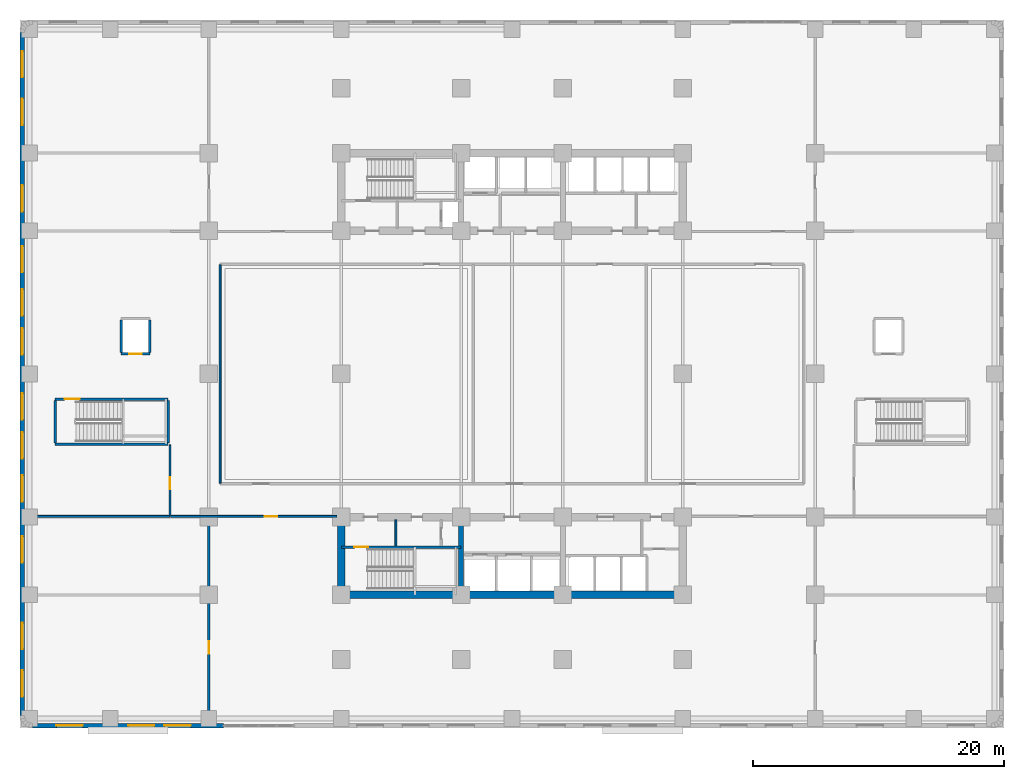
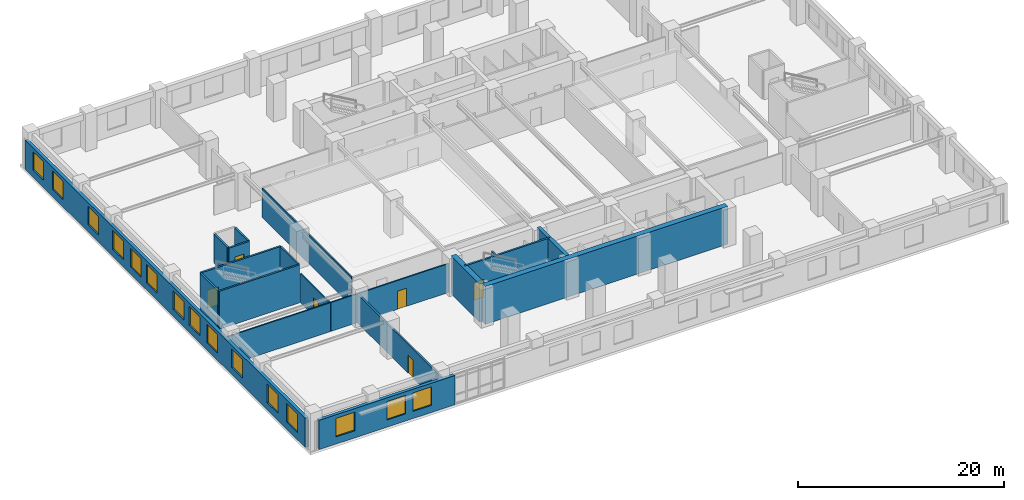
# One storey, part 6 of 15: 19 walls, 15 windows, 6 doors, 21 openings.
"""IFC4 building model written with IfcOpenShell, lengths in metres."""

from ifc_helpers import new_model, si_unit, direction, frame, frame_2d, origin, place, context, subcontext, project, spatial, rectangle, extrude, material, layer, layer_set, type_object, element, fill, save


model = new_model("IFC4")

# Units and contexts
model_context = context("Model", 3, precision=1e-05, world=origin(), true_north=direction((0.0, 1.0)))
body_context = subcontext(model_context, "Body", "Model", "MODEL_VIEW")
ifc_project = project(units=[si_unit("LENGTHUNIT", "METRE"), si_unit("AREAUNIT", "SQUARE_METRE"), si_unit("VOLUMEUNIT", "CUBIC_METRE"), si_unit("PLANEANGLEUNIT", "RADIAN"), si_unit("MASSUNIT", "GRAM", prefix="KILO")], contexts=[model_context])

# Site, building, storey
site_placement = place(None, origin())
site = spatial("IfcSite", under=ifc_project, at=site_placement, CompositionType="ELEMENT")
building_placement = place(site_placement, origin())
building = spatial("IfcBuilding", under=site, at=building_placement, Name="Svetorya Sky Lyceum", CompositionType="ELEMENT")
storey_placement = place(building_placement, frame((0.0, 0.0, 6.60009765625)))
storey = spatial("IfcBuildingStorey", under=building, at=storey_placement, Name="L01", CompositionType="ELEMENT", Elevation=6.60009765625)

# Walls
ifc_material_1 = material(Name="Concrete C40/50", Category="concrete")
ifc_layer_1 = layer(ifc_material_1, 0.39990234375)
ifc_layer_set_1 = layer_set([ifc_layer_1], Name="Concrete C40/50")
wall_type_1 = type_object("IfcWallType", Name="WL-CORE-400", PredefinedType="SHEAR", material=ifc_layer_set_1)
wall_1_placement = place(storey_placement, frame((35.14990234375, 10.89990234375, 0.0), z_axis=(0.0, 0.0, 1.0), x_axis=(0.0, 1.0, 0.0)))
element("IfcWall", 1, at=wall_1_placement, inside=storey, type_object=wall_type_1, Name="L01 SC Internal Shear Web WEB1", PredefinedType="SHEAR", context=body_context, shape_type="SweptSolid", body=[
    extrude(rectangle(XDim=5.60009765625, YDim=0.39990234375, at=frame_2d((2.800048828125, 0.0))), origin(), (0.0, 0.0, 1.0), 4.5),
])
ifc_material_2 = material(Name="Concrete C60/75", Category="concrete")
ifc_layer_2 = layer(ifc_material_2, 0.60009765625)
ifc_layer_set_2 = layer_set([ifc_layer_2], Name="Concrete C60/75")
wall_type_2 = type_object("IfcWallType", Name="WL-CORE-600", PredefinedType="SHEAR", material=ifc_layer_set_2)
wall_2_placement = place(storey_placement, frame((52.800048828125, 10.60009765625, 0.0), z_axis=(0.0, 0.0, 1.0), x_axis=(-1.0, 0.0, 0.0)))
element("IfcWall", 2, at=wall_2_placement, inside=storey, type_object=wall_type_2, Name="L01 SC Outer Core Shear Wall", PredefinedType="SHEAR", context=body_context, shape_type="SweptSolid", body=[
    extrude(rectangle(XDim=27.199951171875, YDim=0.60009765625, at=frame_2d((13.60009765625, 0.0))), origin(), (0.0, 0.0, 1.0), 4.5),
])
wall_3_placement = place(storey_placement, frame((25.60009765625, 10.89990234375, 0.0), z_axis=(0.0, 0.0, 1.0), x_axis=(0.0, 1.0, 0.0)))
element("IfcWall", 3, at=wall_3_placement, inside=storey, type_object=wall_type_2, Name="L01 SC West Core Shear Wall", PredefinedType="SHEAR", context=body_context, shape_type="SweptSolid", body=[
    extrude(rectangle(XDim=5.60009765625, YDim=0.60009765625, at=frame_2d((2.800048828125, 0.0))), origin(), (0.0, 0.0, 1.0), 4.5),
])

# Wall, openings, windows
ifc_material_3 = material(Name="Putilovo limestone rainscreen on autoclaved cellular masonry", Category="masonry")
ifc_layer_3 = layer(ifc_material_3, 0.360107421875)
ifc_layer_set_3 = layer_set([ifc_layer_3], Name="Putilovo limestone rainscreen on autoclaved cellular masonry")
wall_type_3 = type_object("IfcWallType", Name="WL-EXT-360", PredefinedType="SOLIDWALL", material=ifc_layer_set_3)
wall_4_placement = place(storey_placement, frame((0.97998046875, 0.179931640625, 0.0), z_axis=(0.0, 0.0, 1.0), x_axis=(1.0, 0.0, 0.0)))
wall_4 = element("IfcWall", 4, at=wall_4_placement, inside=storey, type_object=wall_type_3, Name="L01 Limestone Exterior Wall 6A", PredefinedType="SOLIDWALL", context=body_context, shape_type="SweptSolid", body=[
    extrude(rectangle(XDim=15.25, YDim=0.360107421875, at=frame_2d((7.625, 0.0))), origin(), (0.0, 0.0, 1.0), 3.47998046875),
])
opening_1_placement = place(wall_4_placement, frame((1.925048828125, 0.0, 0.85009765625)))
opening_1 = element("IfcOpeningElement", 5, at=opening_1_placement, cuts=wall_4, Name="Opening W-S3", PredefinedType="OPENING", context=body_context, shape_type="SweptSolid", body=[
    extrude(rectangle(XDim=2.10009765625, YDim=2.199951171875, at=frame_2d((1.050048828125, 1.10009765625))), frame((0.0, 0.18994140625, 0.0), z_axis=(0.0, -1.0, 0.0), x_axis=(1.0, 0.0, 0.0)), (0.0, 0.0, 1.0), 0.380126953125),
])
opening_2_placement = place(wall_4_placement, frame((7.625, 0.0, 0.85009765625)))
opening_2 = element("IfcOpeningElement", 6, at=opening_2_placement, cuts=wall_4, Name="Opening W-S3", PredefinedType="OPENING", context=body_context, shape_type="SweptSolid", body=[
    extrude(rectangle(XDim=2.10009765625, YDim=2.199951171875, at=frame_2d((1.050048828125, 1.10009765625))), frame((0.0, 0.18994140625, 0.0), z_axis=(0.0, -1.0, 0.0), x_axis=(1.0, 0.0, 0.0)), (0.0, 0.0, 1.0), 0.380126953125),
])
opening_3_placement = place(wall_4_placement, frame((10.52490234375, 0.0, 0.85009765625)))
opening_3 = element("IfcOpeningElement", 7, at=opening_3_placement, cuts=wall_4, Name="Opening W-S3", PredefinedType="OPENING", context=body_context, shape_type="SweptSolid", body=[
    extrude(rectangle(XDim=2.10009765625, YDim=2.199951171875, at=frame_2d((1.050048828125, 1.10009765625))), frame((0.0, 0.18994140625, 0.0), z_axis=(0.0, -1.0, 0.0), x_axis=(1.0, 0.0, 0.0)), (0.0, 0.0, 1.0), 0.380126953125),
])
ifc_material_4 = material(Name="Thermally broken aluminium frame with triple low-E glazing", Category="aluminium")
window_type = type_object("IfcWindowType", Name="WN-SCH-210", PartitioningType="TRIPLE_PANEL_VERTICAL", PredefinedType="WINDOW", material=ifc_material_4)
window_1_placement = place(opening_1_placement, origin())
window_1 = element("IfcWindow", 8, at=window_1_placement, inside=storey, type_object=window_type, Name="L01 Facade Window W-S3.6A.1", OverallHeight=2.199951171875, OverallWidth=2.10009765625, PartitioningType="SINGLE_PANEL", PredefinedType="WINDOW", context=body_context, shape_type="SweptSolid", body=[
    extrude(rectangle(XDim=2.10009765625, YDim=2.199951171875, at=frame_2d((1.050048828125, 1.10009765625))), frame((0.0, 0.030029296875, 0.0), z_axis=(0.0, -1.0, 0.0), x_axis=(1.0, 0.0, 0.0)), (0.0, 0.0, 1.0), 0.06005859375),
])
fill(opening_1, window_1)
window_2_placement = place(opening_2_placement, origin())
window_2 = element("IfcWindow", 9, at=window_2_placement, inside=storey, type_object=window_type, Name="L01 Facade Window W-S3.6A.2", OverallHeight=2.199951171875, OverallWidth=2.10009765625, PartitioningType="SINGLE_PANEL", PredefinedType="WINDOW", context=body_context, shape_type="SweptSolid", body=[
    extrude(rectangle(XDim=2.10009765625, YDim=2.199951171875, at=frame_2d((1.050048828125, 1.10009765625))), frame((0.0, 0.030029296875, 0.0), z_axis=(0.0, -1.0, 0.0), x_axis=(1.0, 0.0, 0.0)), (0.0, 0.0, 1.0), 0.06005859375),
])
fill(opening_2, window_2)
window_3_placement = place(opening_3_placement, origin())
window_3 = element("IfcWindow", 10, at=window_3_placement, inside=storey, type_object=window_type, Name="L01 Facade Window W-S3.6A.3", OverallHeight=2.199951171875, OverallWidth=2.10009765625, PartitioningType="SINGLE_PANEL", PredefinedType="WINDOW", context=body_context, shape_type="SweptSolid", body=[
    extrude(rectangle(XDim=2.10009765625, YDim=2.199951171875, at=frame_2d((1.050048828125, 1.10009765625))), frame((0.0, 0.030029296875, 0.0), z_axis=(0.0, -1.0, 0.0), x_axis=(1.0, 0.0, 0.0)), (0.0, 0.0, 1.0), 0.06005859375),
])
fill(opening_3, window_3)

wall_5_placement = place(storey_placement, frame((0.179931640625, 55.419921875, 0.0), z_axis=(0.0, 0.0, 1.0), x_axis=(0.0, -1.0, 0.0)))
wall_5 = element("IfcWall", 11, at=wall_5_placement, inside=storey, type_object=wall_type_3, Name="L01 Limestone Exterior Wall 24M", PredefinedType="SOLIDWALL", context=body_context, shape_type="SweptSolid", body=[
    extrude(rectangle(XDim=54.43994140625, YDim=0.360107421875, at=frame_2d((27.219970703125, 0.0))), origin(), (0.0, 0.0, 1.0), 3.47998046875),
])
opening_4_placement = place(wall_5_placement, frame((1.497802734375, 0.0, 0.85009765625)))
opening_4 = element("IfcOpeningElement", 12, at=opening_4_placement, cuts=wall_5, Name="Opening W-S3", PredefinedType="OPENING", context=body_context, shape_type="SweptSolid", body=[
    extrude(rectangle(XDim=2.10009765625, YDim=2.199951171875, at=frame_2d((1.050048828125, 1.10009765625))), frame((0.0, 0.18994140625, 0.0), z_axis=(0.0, -1.0, 0.0), x_axis=(1.0, 0.0, 0.0)), (0.0, 0.0, 1.0), 0.380126953125),
])
opening_5_placement = place(wall_5_placement, frame((5.293701171875, 0.0, 0.85009765625)))
opening_5 = element("IfcOpeningElement", 13, at=opening_5_placement, cuts=wall_5, Name="Opening W-S3", PredefinedType="OPENING", context=body_context, shape_type="SweptSolid", body=[
    extrude(rectangle(XDim=2.10009765625, YDim=2.199951171875, at=frame_2d((1.050048828125, 1.10009765625))), frame((0.0, 0.18994140625, 0.0), z_axis=(0.0, -1.0, 0.0), x_axis=(1.0, 0.0, 0.0)), (0.0, 0.0, 1.0), 0.380126953125),
])
opening_6_placement = place(wall_5_placement, frame((12.18505859375, 0.0, 0.85009765625)))
opening_6 = element("IfcOpeningElement", 14, at=opening_6_placement, cuts=wall_5, Name="Opening W-S3", PredefinedType="OPENING", context=body_context, shape_type="SweptSolid", body=[
    extrude(rectangle(XDim=2.10009765625, YDim=2.199951171875, at=frame_2d((1.050048828125, 1.10009765625))), frame((0.0, 0.18994140625, 0.0), z_axis=(0.0, -1.0, 0.0), x_axis=(1.0, 0.0, 0.0)), (0.0, 0.0, 1.0), 0.380126953125),
])
opening_7_placement = place(wall_5_placement, frame((17.03076171875, 0.0, 0.85009765625)))
opening_7 = element("IfcOpeningElement", 15, at=opening_7_placement, cuts=wall_5, Name="Opening W-S3", PredefinedType="OPENING", context=body_context, shape_type="SweptSolid", body=[
    extrude(rectangle(XDim=2.10009765625, YDim=2.199951171875, at=frame_2d((1.050048828125, 1.10009765625))), frame((0.0, 0.18994140625, 0.0), z_axis=(0.0, -1.0, 0.0), x_axis=(1.0, 0.0, 0.0)), (0.0, 0.0, 1.0), 0.380126953125),
])
opening_8_placement = place(wall_5_placement, frame((20.476318359375, 0.0, 0.85009765625)))
opening_8 = element("IfcOpeningElement", 16, at=opening_8_placement, cuts=wall_5, Name="Opening W-S3", PredefinedType="OPENING", context=body_context, shape_type="SweptSolid", body=[
    extrude(rectangle(XDim=2.10009765625, YDim=2.199951171875, at=frame_2d((1.050048828125, 1.10009765625))), frame((0.0, 0.18994140625, 0.0), z_axis=(0.0, -1.0, 0.0), x_axis=(1.0, 0.0, 0.0)), (0.0, 0.0, 1.0), 0.380126953125),
])
opening_9_placement = place(wall_5_placement, frame((23.572021484375, 0.0, 0.85009765625)))
opening_9 = element("IfcOpeningElement", 17, at=opening_9_placement, cuts=wall_5, Name="Opening W-S3", PredefinedType="OPENING", context=body_context, shape_type="SweptSolid", body=[
    extrude(rectangle(XDim=2.10009765625, YDim=2.199951171875, at=frame_2d((1.050048828125, 1.10009765625))), frame((0.0, 0.18994140625, 0.0), z_axis=(0.0, -1.0, 0.0), x_axis=(1.0, 0.0, 0.0)), (0.0, 0.0, 1.0), 0.380126953125),
])
opening_10_placement = place(wall_5_placement, frame((28.767822265625, 0.0, 0.85009765625)))
opening_10 = element("IfcOpeningElement", 18, at=opening_10_placement, cuts=wall_5, Name="Opening W-S3", PredefinedType="OPENING", context=body_context, shape_type="SweptSolid", body=[
    extrude(rectangle(XDim=2.10009765625, YDim=2.199951171875, at=frame_2d((1.050048828125, 1.10009765625))), frame((0.0, 0.18994140625, 0.0), z_axis=(0.0, -1.0, 0.0), x_axis=(1.0, 0.0, 0.0)), (0.0, 0.0, 1.0), 0.380126953125),
])
opening_11_placement = place(wall_5_placement, frame((31.863525390625, 0.0, 0.85009765625)))
opening_11 = element("IfcOpeningElement", 19, at=opening_11_placement, cuts=wall_5, Name="Opening W-S3", PredefinedType="OPENING", context=body_context, shape_type="SweptSolid", body=[
    extrude(rectangle(XDim=2.10009765625, YDim=2.199951171875, at=frame_2d((1.050048828125, 1.10009765625))), frame((0.0, 0.18994140625, 0.0), z_axis=(0.0, -1.0, 0.0), x_axis=(1.0, 0.0, 0.0)), (0.0, 0.0, 1.0), 0.380126953125),
])
opening_12_placement = place(wall_5_placement, frame((35.309326171875, 0.0, 0.85009765625)))
opening_12 = element("IfcOpeningElement", 20, at=opening_12_placement, cuts=wall_5, Name="Opening W-S3", PredefinedType="OPENING", context=body_context, shape_type="SweptSolid", body=[
    extrude(rectangle(XDim=2.10009765625, YDim=2.199951171875, at=frame_2d((1.050048828125, 1.10009765625))), frame((0.0, 0.18994140625, 0.0), z_axis=(0.0, -1.0, 0.0), x_axis=(1.0, 0.0, 0.0)), (0.0, 0.0, 1.0), 0.380126953125),
])
opening_13_placement = place(wall_5_placement, frame((40.155029296875, 0.0, 0.85009765625)))
opening_13 = element("IfcOpeningElement", 21, at=opening_13_placement, cuts=wall_5, Name="Opening W-S3", PredefinedType="OPENING", context=body_context, shape_type="SweptSolid", body=[
    extrude(rectangle(XDim=2.10009765625, YDim=2.199951171875, at=frame_2d((1.050048828125, 1.10009765625))), frame((0.0, 0.18994140625, 0.0), z_axis=(0.0, -1.0, 0.0), x_axis=(1.0, 0.0, 0.0)), (0.0, 0.0, 1.0), 0.380126953125),
])
opening_14_placement = place(wall_5_placement, frame((47.04638671875, 0.0, 0.85009765625)))
opening_14 = element("IfcOpeningElement", 22, at=opening_14_placement, cuts=wall_5, Name="Opening W-S3", PredefinedType="OPENING", context=body_context, shape_type="SweptSolid", body=[
    extrude(rectangle(XDim=2.10009765625, YDim=2.199951171875, at=frame_2d((1.050048828125, 1.10009765625))), frame((0.0, 0.18994140625, 0.0), z_axis=(0.0, -1.0, 0.0), x_axis=(1.0, 0.0, 0.0)), (0.0, 0.0, 1.0), 0.380126953125),
])
opening_15_placement = place(wall_5_placement, frame((50.842041015625, 0.0, 0.85009765625)))
opening_15 = element("IfcOpeningElement", 23, at=opening_15_placement, cuts=wall_5, Name="Opening W-S3", PredefinedType="OPENING", context=body_context, shape_type="SweptSolid", body=[
    extrude(rectangle(XDim=2.10009765625, YDim=2.199951171875, at=frame_2d((1.050048828125, 1.10009765625))), frame((0.0, 0.18994140625, 0.0), z_axis=(0.0, -1.0, 0.0), x_axis=(1.0, 0.0, 0.0)), (0.0, 0.0, 1.0), 0.380126953125),
])
window_4_placement = place(opening_4_placement, origin())
window_4 = element("IfcWindow", 24, at=window_4_placement, inside=storey, type_object=window_type, Name="L01 Facade Window W-S3.24M.1", OverallHeight=2.199951171875, OverallWidth=2.10009765625, PartitioningType="SINGLE_PANEL", PredefinedType="WINDOW", context=body_context, shape_type="SweptSolid", body=[
    extrude(rectangle(XDim=2.10009765625, YDim=2.199951171875, at=frame_2d((1.050048828125, 1.10009765625))), frame((0.0, 0.030029296875, 0.0), z_axis=(0.0, -1.0, 0.0), x_axis=(1.0, 0.0, 0.0)), (0.0, 0.0, 1.0), 0.06005859375),
])
fill(opening_4, window_4)
window_5_placement = place(opening_5_placement, origin())
window_5 = element("IfcWindow", 25, at=window_5_placement, inside=storey, type_object=window_type, Name="L01 Facade Window W-S3.24M.2", OverallHeight=2.199951171875, OverallWidth=2.10009765625, PartitioningType="SINGLE_PANEL", PredefinedType="WINDOW", context=body_context, shape_type="SweptSolid", body=[
    extrude(rectangle(XDim=2.10009765625, YDim=2.199951171875, at=frame_2d((1.050048828125, 1.10009765625))), frame((0.0, 0.030029296875, 0.0), z_axis=(0.0, -1.0, 0.0), x_axis=(1.0, 0.0, 0.0)), (0.0, 0.0, 1.0), 0.06005859375),
])
fill(opening_5, window_5)
window_6_placement = place(opening_6_placement, origin())
window_6 = element("IfcWindow", 26, at=window_6_placement, inside=storey, type_object=window_type, Name="L01 Facade Window W-S3.24M.3", OverallHeight=2.199951171875, OverallWidth=2.10009765625, PartitioningType="SINGLE_PANEL", PredefinedType="WINDOW", context=body_context, shape_type="SweptSolid", body=[
    extrude(rectangle(XDim=2.10009765625, YDim=2.199951171875, at=frame_2d((1.050048828125, 1.10009765625))), frame((0.0, 0.030029296875, 0.0), z_axis=(0.0, -1.0, 0.0), x_axis=(1.0, 0.0, 0.0)), (0.0, 0.0, 1.0), 0.06005859375),
])
fill(opening_6, window_6)
window_7_placement = place(opening_7_placement, origin())
window_7 = element("IfcWindow", 27, at=window_7_placement, inside=storey, type_object=window_type, Name="L01 Facade Window W-S3.24M.4", OverallHeight=2.199951171875, OverallWidth=2.10009765625, PartitioningType="SINGLE_PANEL", PredefinedType="WINDOW", context=body_context, shape_type="SweptSolid", body=[
    extrude(rectangle(XDim=2.10009765625, YDim=2.199951171875, at=frame_2d((1.050048828125, 1.10009765625))), frame((0.0, 0.030029296875, 0.0), z_axis=(0.0, -1.0, 0.0), x_axis=(1.0, 0.0, 0.0)), (0.0, 0.0, 1.0), 0.06005859375),
])
fill(opening_7, window_7)
window_8_placement = place(opening_8_placement, origin())
window_8 = element("IfcWindow", 28, at=window_8_placement, inside=storey, type_object=window_type, Name="L01 Facade Window W-S3.24M.5", OverallHeight=2.199951171875, OverallWidth=2.10009765625, PartitioningType="SINGLE_PANEL", PredefinedType="WINDOW", context=body_context, shape_type="SweptSolid", body=[
    extrude(rectangle(XDim=2.10009765625, YDim=2.199951171875, at=frame_2d((1.050048828125, 1.10009765625))), frame((0.0, 0.030029296875, 0.0), z_axis=(0.0, -1.0, 0.0), x_axis=(1.0, 0.0, 0.0)), (0.0, 0.0, 1.0), 0.06005859375),
])
fill(opening_8, window_8)
window_9_placement = place(opening_9_placement, origin())
window_9 = element("IfcWindow", 29, at=window_9_placement, inside=storey, type_object=window_type, Name="L01 Facade Window W-S3.24M.6", OverallHeight=2.199951171875, OverallWidth=2.10009765625, PartitioningType="SINGLE_PANEL", PredefinedType="WINDOW", context=body_context, shape_type="SweptSolid", body=[
    extrude(rectangle(XDim=2.10009765625, YDim=2.199951171875, at=frame_2d((1.050048828125, 1.10009765625))), frame((0.0, 0.030029296875, 0.0), z_axis=(0.0, -1.0, 0.0), x_axis=(1.0, 0.0, 0.0)), (0.0, 0.0, 1.0), 0.06005859375),
])
fill(opening_9, window_9)
window_10_placement = place(opening_10_placement, origin())
window_10 = element("IfcWindow", 30, at=window_10_placement, inside=storey, type_object=window_type, Name="L01 Facade Window W-S3.24M.7", OverallHeight=2.199951171875, OverallWidth=2.10009765625, PartitioningType="SINGLE_PANEL", PredefinedType="WINDOW", context=body_context, shape_type="SweptSolid", body=[
    extrude(rectangle(XDim=2.10009765625, YDim=2.199951171875, at=frame_2d((1.050048828125, 1.10009765625))), frame((0.0, 0.030029296875, 0.0), z_axis=(0.0, -1.0, 0.0), x_axis=(1.0, 0.0, 0.0)), (0.0, 0.0, 1.0), 0.06005859375),
])
fill(opening_10, window_10)
window_11_placement = place(opening_11_placement, origin())
window_11 = element("IfcWindow", 31, at=window_11_placement, inside=storey, type_object=window_type, Name="L01 Facade Window W-S3.24M.8", OverallHeight=2.199951171875, OverallWidth=2.10009765625, PartitioningType="SINGLE_PANEL", PredefinedType="WINDOW", context=body_context, shape_type="SweptSolid", body=[
    extrude(rectangle(XDim=2.10009765625, YDim=2.199951171875, at=frame_2d((1.050048828125, 1.10009765625))), frame((0.0, 0.030029296875, 0.0), z_axis=(0.0, -1.0, 0.0), x_axis=(1.0, 0.0, 0.0)), (0.0, 0.0, 1.0), 0.06005859375),
])
fill(opening_11, window_11)
window_12_placement = place(opening_12_placement, origin())
window_12 = element("IfcWindow", 32, at=window_12_placement, inside=storey, type_object=window_type, Name="L01 Facade Window W-S3.24M.9", OverallHeight=2.199951171875, OverallWidth=2.10009765625, PartitioningType="SINGLE_PANEL", PredefinedType="WINDOW", context=body_context, shape_type="SweptSolid", body=[
    extrude(rectangle(XDim=2.10009765625, YDim=2.199951171875, at=frame_2d((1.050048828125, 1.10009765625))), frame((0.0, 0.030029296875, 0.0), z_axis=(0.0, -1.0, 0.0), x_axis=(1.0, 0.0, 0.0)), (0.0, 0.0, 1.0), 0.06005859375),
])
fill(opening_12, window_12)
window_13_placement = place(opening_13_placement, origin())
window_13 = element("IfcWindow", 33, at=window_13_placement, inside=storey, type_object=window_type, Name="L01 Facade Window W-S3.24M.10", OverallHeight=2.199951171875, OverallWidth=2.10009765625, PartitioningType="SINGLE_PANEL", PredefinedType="WINDOW", context=body_context, shape_type="SweptSolid", body=[
    extrude(rectangle(XDim=2.10009765625, YDim=2.199951171875, at=frame_2d((1.050048828125, 1.10009765625))), frame((0.0, 0.030029296875, 0.0), z_axis=(0.0, -1.0, 0.0), x_axis=(1.0, 0.0, 0.0)), (0.0, 0.0, 1.0), 0.06005859375),
])
fill(opening_13, window_13)
window_14_placement = place(opening_14_placement, origin())
window_14 = element("IfcWindow", 34, at=window_14_placement, inside=storey, type_object=window_type, Name="L01 Facade Window W-S3.24M.11", OverallHeight=2.199951171875, OverallWidth=2.10009765625, PartitioningType="SINGLE_PANEL", PredefinedType="WINDOW", context=body_context, shape_type="SweptSolid", body=[
    extrude(rectangle(XDim=2.10009765625, YDim=2.199951171875, at=frame_2d((1.050048828125, 1.10009765625))), frame((0.0, 0.030029296875, 0.0), z_axis=(0.0, -1.0, 0.0), x_axis=(1.0, 0.0, 0.0)), (0.0, 0.0, 1.0), 0.06005859375),
])
fill(opening_14, window_14)
window_15_placement = place(opening_15_placement, origin())
window_15 = element("IfcWindow", 35, at=window_15_placement, inside=storey, type_object=window_type, Name="L01 Facade Window W-S3.24M.12", OverallHeight=2.199951171875, OverallWidth=2.10009765625, PartitioningType="SINGLE_PANEL", PredefinedType="WINDOW", context=body_context, shape_type="SweptSolid", body=[
    extrude(rectangle(XDim=2.10009765625, YDim=2.199951171875, at=frame_2d((1.050048828125, 1.10009765625))), frame((0.0, 0.030029296875, 0.0), z_axis=(0.0, -1.0, 0.0), x_axis=(1.0, 0.0, 0.0)), (0.0, 0.0, 1.0), 0.06005859375),
])
fill(opening_15, window_15)

# Walls
ifc_material_5 = material(Name="Autoclaved cellular masonry blockwork with acoustic render", Category="masonry")
ifc_layer_4 = layer(ifc_material_5, 0.14990234375)
ifc_layer_set_4 = layer_set([ifc_layer_4], Name="Autoclaved cellular masonry blockwork with acoustic render")
wall_type_4 = type_object("IfcWallType", Name="WL-PART-150", PredefinedType="PARTITIONING", material=ifc_layer_set_4)
wall_6_placement = place(storey_placement, frame((29.949951171875, 14.5, 0.0), z_axis=(0.0, 0.0, 1.0), x_axis=(0.0, 1.0, 0.0)))
element("IfcWall", 36, at=wall_6_placement, inside=storey, type_object=wall_type_4, Name="L01 Interior Partition SC-SWD1", PredefinedType="PARTITIONING", context=body_context, shape_type="SweptSolid", body=[
    extrude(rectangle(XDim=2.080078125, YDim=0.14990234375, at=frame_2d((1.0400390625, 0.0))), origin(), (0.0, 0.0, 1.0), 3.419921875),
])
wall_7_placement = place(storey_placement, frame((15.949951171875, 19.5, 0.0), z_axis=(0.0, 0.0, 1.0), x_axis=(0.0, 1.0, 0.0)))
element("IfcWall", 37, at=wall_7_placement, inside=storey, type_object=wall_type_4, Name="L01 Interior Partition CEN-W", PredefinedType="PARTITIONING", context=body_context, shape_type="SweptSolid", body=[
    extrude(rectangle(XDim=17.39990234375, YDim=0.14990234375, at=frame_2d((8.699951171875, 0.0))), origin(), (0.0, 0.0, 1.0), 3.419921875),
])

# Wall, opening, door
wall_8_placement = place(storey_placement, frame((12.0, 16.85009765625, 0.0), z_axis=(0.0, 0.0, 1.0), x_axis=(1.0, 0.0, 0.0)))
wall_8 = element("IfcWall", 38, at=wall_8_placement, inside=storey, type_object=wall_type_4, Name="L01 Interior Partition SW-CORR", PredefinedType="PARTITIONING", context=body_context, shape_type="SweptSolid", body=[
    extrude(rectangle(XDim=13.25, YDim=0.14990234375, at=frame_2d((6.625, 0.0))), origin(), (0.0, 0.0, 1.0), 3.419921875),
])
opening_16_placement = place(wall_8_placement, frame((7.5, 0.0, 0.0)))
opening_16 = element("IfcOpeningElement", 39, at=opening_16_placement, cuts=wall_8, Name="Opening D-RM2", PredefinedType="OPENING", context=body_context, shape_type="SweptSolid", body=[
    extrude(rectangle(XDim=1.0, YDim=2.14990234375, at=frame_2d((0.5, 1.074951171875))), frame((0.0, 0.0849609375, 0.0), z_axis=(0.0, -1.0, 0.0), x_axis=(1.0, 0.0, 0.0)), (0.0, 0.0, 1.0), 0.169921875),
])
ifc_material_6 = material(Name="Solid-core oak acoustic room door")
door_type_1 = type_object("IfcDoorType", Name="DR-INT-1000", OperationType="SINGLE_SWING_LEFT", PredefinedType="DOOR", material=ifc_material_6)
door_1_placement = place(opening_16_placement, origin())
door_1 = element("IfcDoor", 40, at=door_1_placement, inside=storey, type_object=door_type_1, Name="L01 Classroom SW2 Door", OperationType="SINGLE_SWING_LEFT", OverallHeight=2.14990234375, OverallWidth=1.0, PredefinedType="DOOR", context=body_context, shape_type="SweptSolid", body=[
    extrude(rectangle(XDim=1.0, YDim=2.14990234375, at=frame_2d((0.5, 1.074951171875))), frame((0.0, 0.02490234375, 0.0), z_axis=(0.0, -1.0, 0.0), x_axis=(1.0, 0.0, 0.0)), (0.0, 0.0, 1.0), 0.050048828125),
])
fill(opening_16, door_1)

wall_9_placement = place(storey_placement, frame((11.949951171875, 16.89990234375, 0.0), z_axis=(0.0, 0.0, 1.0), x_axis=(0.0, 1.0, 0.0)))
wall_9 = element("IfcWall", 41, at=wall_9_placement, inside=storey, type_object=wall_type_4, Name="L01 Interior Partition WCW-E", PredefinedType="PARTITIONING", context=body_context, shape_type="SweptSolid", body=[
    extrude(rectangle(XDim=5.650146484375, YDim=0.14990234375, at=frame_2d((2.8251953125, 0.0))), origin(), (0.0, 0.0, 1.0), 3.419921875),
])
opening_17_placement = place(wall_9_placement, frame((2.10009765625, 0.0, 0.0)))
opening_17 = element("IfcOpeningElement", 42, at=opening_17_placement, cuts=wall_9, Name="Opening D-WC1", PredefinedType="OPENING", context=body_context, shape_type="SweptSolid", body=[
    extrude(rectangle(XDim=0.949951171875, YDim=2.10009765625, at=frame_2d((0.47509765625, 1.050048828125))), frame((0.0, 0.0849609375, 0.0), z_axis=(0.0, -1.0, 0.0), x_axis=(1.0, 0.0, 0.0)), (0.0, 0.0, 1.0), 0.169921875),
])
ifc_material_7 = material(Name="Moisture-resistant laminate accessible WC door")
door_type_2 = type_object("IfcDoorType", Name="DR-ACC-950", OperationType="SINGLE_SWING_LEFT", PredefinedType="DOOR", material=ifc_material_7)
door_2_placement = place(opening_17_placement, origin())
door_2 = element("IfcDoor", 43, at=door_2_placement, inside=storey, type_object=door_type_2, Name="L01 Accessible WC Door", OperationType="SINGLE_SWING_LEFT", OverallHeight=2.10009765625, OverallWidth=0.949951171875, PredefinedType="DOOR", context=body_context, shape_type="SweptSolid", body=[
    extrude(rectangle(XDim=0.949951171875, YDim=2.10009765625, at=frame_2d((0.47509765625, 1.050048828125))), frame((0.0, 0.02490234375, 0.0), z_axis=(0.0, -1.0, 0.0), x_axis=(1.0, 0.0, 0.0)), (0.0, 0.0, 1.0), 0.050048828125),
])
fill(opening_17, door_2)

# Walls
wall_10_placement = place(storey_placement, frame((0.39990234375, 16.85009765625, 0.0), z_axis=(0.0, 0.0, 1.0), x_axis=(1.0, 0.0, 0.0)))
element("IfcWall", 44, at=wall_10_placement, inside=storey, type_object=wall_type_4, Name="L01 Interior Partition CLSW1-N", PredefinedType="PARTITIONING", context=body_context, shape_type="SweptSolid", body=[
    extrude(rectangle(XDim=11.550048828125, YDim=0.14990234375, at=frame_2d((5.77490234375, 0.0))), origin(), (0.0, 0.0, 1.0), 3.419921875),
])
ifc_material_8 = material(Name="Autoclaved cellular masonry blockwork with gypsum plaster", Category="masonry")
ifc_layer_5 = layer(ifc_material_8, 0.199951171875)
ifc_layer_set_5 = layer_set([ifc_layer_5], Name="Autoclaved cellular masonry blockwork with gypsum plaster")
wall_type_5 = type_object("IfcWallType", Name="WL-PART-200", PredefinedType="PARTITIONING", material=ifc_layer_set_5)
for number, where, z_axis, x_axis, name in (
    (45, (8.050048828125, 29.89990234375, 0.0), (0.0, 0.0, 1.0), (0.0, 1.0, 0.0), "L01 Interior Partition SHL-W-SCHL1"),
    (46, (10.35009765625, 29.89990234375, 0.0), (0.0, 0.0, 1.0), (0.0, 1.0, 0.0), "L01 Interior Partition SHL-E-SCHL1"),
):
    element("IfcWall", number, at=place(storey_placement, frame(where, z_axis=z_axis, x_axis=x_axis)), inside=storey, type_object=wall_type_5, Name=name, PredefinedType="PARTITIONING", context=body_context, shape_type="SweptSolid", body=[
        extrude(rectangle(XDim=2.60009765625, YDim=0.199951171875, at=frame_2d((1.300048828125, 0.0))), origin(), (0.0, 0.0, 1.0), 3.419921875),
    ])

# Wall, opening, door
wall_11_placement = place(storey_placement, frame((8.050048828125, 29.800048828125, 0.0), z_axis=(0.0, 0.0, 1.0), x_axis=(1.0, 0.0, 0.0)))
wall_11 = element("IfcWall", 47, at=wall_11_placement, inside=storey, type_object=wall_type_5, Name="L01 Interior Partition SHL-S-SCHL1", PredefinedType="PARTITIONING", context=body_context, shape_type="SweptSolid", body=[
    extrude(rectangle(XDim=2.300048828125, YDim=0.199951171875, at=frame_2d((1.14990234375, 0.0))), origin(), (0.0, 0.0, 1.0), 3.419921875),
])
opening_18_placement = place(wall_11_placement, frame((0.64990234375, 0.0, 0.0)))
opening_18 = element("IfcOpeningElement", 48, at=opening_18_placement, cuts=wall_11, Name="Opening LD-P1", PredefinedType="OPENING", context=body_context, shape_type="SweptSolid", body=[
    extrude(rectangle(XDim=1.0, YDim=2.14990234375, at=frame_2d((0.5, 1.074951171875))), frame((0.0, 0.10986328125, 0.0), z_axis=(0.0, -1.0, 0.0), x_axis=(1.0, 0.0, 0.0)), (0.0, 0.0, 1.0), 0.219970703125),
])
ifc_material_9 = material(Name="Champagne-anodized stainless passenger lift landing door")
door_type_3 = type_object("IfcDoorType", Name="DR-LIFT-1000", OperationType="SLIDING_TO_LEFT", PredefinedType="DOOR", material=ifc_material_9)
door_3_placement = place(opening_18_placement, origin())
door_3 = element("IfcDoor", 49, at=door_3_placement, inside=storey, type_object=door_type_3, Name="L01 Lyceum Lift SCHL1 Landing Door", OperationType="SLIDING_TO_LEFT", OverallHeight=2.14990234375, OverallWidth=1.0, PredefinedType="DOOR", context=body_context, shape_type="SweptSolid", body=[
    extrude(rectangle(XDim=1.0, YDim=2.14990234375, at=frame_2d((0.5, 1.074951171875))), frame((0.0, 0.02490234375, 0.0), z_axis=(0.0, -1.0, 0.0), x_axis=(1.0, 0.0, 0.0)), (0.0, 0.0, 1.0), 0.050048828125),
])
fill(opening_18, door_3)

wall_12_placement = place(storey_placement, frame((15.050048828125, 0.39990234375, 0.0), z_axis=(0.0, 0.0, 1.0), x_axis=(0.0, 1.0, 0.0)))
wall_12 = element("IfcWall", 50, at=wall_12_placement, inside=storey, type_object=wall_type_5, Name="L01 Interior Partition SW-DIV", PredefinedType="PARTITIONING", context=body_context, shape_type="SweptSolid", body=[
    extrude(rectangle(XDim=16.400146484375, YDim=0.199951171875, at=frame_2d((8.2001953125, 0.0))), origin(), (0.0, 0.0, 1.0), 3.419921875),
])
opening_19_placement = place(wall_12_placement, frame((5.5, 0.0, 0.0)))
opening_19 = element("IfcOpeningElement", 51, at=opening_19_placement, cuts=wall_12, Name="Opening D-RM2", PredefinedType="OPENING", context=body_context, shape_type="SweptSolid", body=[
    extrude(rectangle(XDim=1.0, YDim=2.14990234375, at=frame_2d((0.5, 1.074951171875))), frame((0.0, 0.10986328125, 0.0), z_axis=(0.0, -1.0, 0.0), x_axis=(1.0, 0.0, 0.0)), (0.0, 0.0, 1.0), 0.219970703125),
])
door_4_placement = place(opening_19_placement, origin())
door_4 = element("IfcDoor", 52, at=door_4_placement, inside=storey, type_object=door_type_1, Name="L01 SW Inter-Classroom Door", OperationType="SINGLE_SWING_LEFT", OverallHeight=2.14990234375, OverallWidth=1.0, PredefinedType="DOOR", context=body_context, shape_type="SweptSolid", body=[
    extrude(rectangle(XDim=1.0, YDim=2.14990234375, at=frame_2d((0.5, 1.074951171875))), frame((0.0, 0.02490234375, 0.0), z_axis=(0.0, -1.0, 0.0), x_axis=(1.0, 0.0, 0.0)), (0.0, 0.0, 1.0), 0.050048828125),
])
fill(opening_19, door_4)

ifc_material_10 = material(Name="Concrete C50/60", Category="concrete")
ifc_layer_6 = layer(ifc_material_10, 0.199951171875)
ifc_layer_set_6 = layer_set([ifc_layer_6], Name="Concrete C50/60")
wall_type_6 = type_object("IfcWallType", Name="WL-SHW-200", PredefinedType="SHEAR", material=ifc_layer_set_6)
wall_13_placement = place(storey_placement, frame((25.60009765625, 14.39990234375, 0.0), z_axis=(0.0, 0.0, 1.0), x_axis=(1.0, 0.0, 0.0)))
wall_13 = element("IfcWall", 53, at=wall_13_placement, inside=storey, type_object=wall_type_6, Name="L01 Structural Stair Shaft Wall SC-STW", PredefinedType="SHEAR", context=body_context, shape_type="SweptSolid", body=[
    extrude(rectangle(XDim=9.5498046875, YDim=0.199951171875, at=frame_2d((4.77490234375, 0.0))), origin(), (0.0, 0.0, 1.0), 4.5),
])
opening_20_placement = place(wall_13_placement, frame((1.050048828125, 0.0, 0.0)))
opening_20 = element("IfcOpeningElement", 54, at=opening_20_placement, cuts=wall_13, Name="Opening D-ST1", PredefinedType="OPENING", context=body_context, shape_type="SweptSolid", body=[
    extrude(rectangle(XDim=1.10009765625, YDim=2.14990234375, at=frame_2d((0.550048828125, 1.074951171875))), frame((0.0, 0.10986328125, 0.0), z_axis=(0.0, -1.0, 0.0), x_axis=(1.0, 0.0, 0.0)), (0.0, 0.0, 1.0), 0.219970703125),
])
ifc_material_11 = material(Name="Powder-coated insulated galvanized stair fire door")
door_type_4 = type_object("IfcDoorType", Name="DR-FIRE-1100", OperationType="SINGLE_SWING_LEFT", PredefinedType="DOOR", material=ifc_material_11)
door_5_placement = place(opening_20_placement, origin())
door_5 = element("IfcDoor", 55, at=door_5_placement, inside=storey, type_object=door_type_4, Name="L01 Stair ST-S Vestibule Fire Door", OperationType="SINGLE_SWING_LEFT", OverallHeight=2.14990234375, OverallWidth=1.10009765625, PredefinedType="DOOR", context=body_context, shape_type="SweptSolid", body=[
    extrude(rectangle(XDim=1.10009765625, YDim=2.14990234375, at=frame_2d((0.550048828125, 1.074951171875))), frame((0.0, 0.02490234375, 0.0), z_axis=(0.0, -1.0, 0.0), x_axis=(1.0, 0.0, 0.0)), (0.0, 0.0, 1.0), 0.050048828125),
])
fill(opening_20, door_5)

# Walls
wall_14_placement = place(storey_placement, frame((2.800048828125, 22.60009765625, 0.0), z_axis=(0.0, 0.0, 1.0), x_axis=(1.0, 0.0, 0.0)))
element("IfcWall", 56, at=wall_14_placement, inside=storey, type_object=wall_type_6, Name="L01 Structural Stair Shaft Wall SCHW-S-W", PredefinedType="SHEAR", context=body_context, shape_type="SweptSolid", body=[
    extrude(rectangle(XDim=9.0, YDim=0.199951171875, at=frame_2d((4.5, 0.0))), origin(), (0.0, 0.0, 1.0), 4.5),
])
for number, where, z_axis, x_axis, name in (
    (57, (2.800048828125, 22.699951171875, 0.0), (0.0, 0.0, 1.0), (0.0, 1.0, 0.0), "L01 Structural Stair Shaft Wall SCHW-W-W"),
    (58, (11.800048828125, 22.699951171875, 0.0), (0.0, 0.0, 1.0), (0.0, 1.0, 0.0), "L01 Structural Stair Shaft Wall SCHW-E-W"),
):
    element("IfcWall", number, at=place(storey_placement, frame(where, z_axis=z_axis, x_axis=x_axis)), inside=storey, type_object=wall_type_6, Name=name, PredefinedType="SHEAR", context=body_context, shape_type="SweptSolid", body=[
        extrude(rectangle(XDim=3.400146484375, YDim=0.199951171875, at=frame_2d((1.7001953125, 0.0))), origin(), (0.0, 0.0, 1.0), 4.5),
    ])

# Wall, opening, door
wall_15_placement = place(storey_placement, frame((11.800048828125, 26.199951171875, 0.0), z_axis=(0.0, 0.0, 1.0), x_axis=(-1.0, 0.0, 0.0)))
wall_15 = element("IfcWall", 59, at=wall_15_placement, inside=storey, type_object=wall_type_6, Name="L01 Structural Stair Shaft Wall SCHW-N-W", PredefinedType="SHEAR", context=body_context, shape_type="SweptSolid", body=[
    extrude(rectangle(XDim=9.0, YDim=0.199951171875, at=frame_2d((4.5, 0.0))), origin(), (0.0, 0.0, 1.0), 4.5),
])
opening_21_placement = place(wall_15_placement, frame((7.050048828125, 0.0, 0.0)))
opening_21 = element("IfcOpeningElement", 60, at=opening_21_placement, cuts=wall_15, Name="Opening D-FL1", PredefinedType="OPENING", context=body_context, shape_type="SweptSolid", body=[
    extrude(rectangle(XDim=1.199951171875, YDim=2.14990234375, at=frame_2d((0.60009765625, 1.074951171875))), frame((0.0, 0.10986328125, 0.0), z_axis=(0.0, -1.0, 0.0), x_axis=(1.0, 0.0, 0.0)), (0.0, 0.0, 1.0), 0.219970703125),
])
ifc_material_12 = material(Name="Powder-coated insulated galvanized fire door")
door_type_5 = type_object("IfcDoorType", Name="DR-FIRE-1200", OperationType="SINGLE_SWING_LEFT", PredefinedType="DOOR", material=ifc_material_12)
door_6_placement = place(opening_21_placement, origin())
door_6 = element("IfcDoor", 61, at=door_6_placement, inside=storey, type_object=door_type_5, Name="L01 Lyceum Stair W Fire Door", OperationType="SINGLE_SWING_LEFT", OverallHeight=2.14990234375, OverallWidth=1.199951171875, PredefinedType="DOOR", context=body_context, shape_type="SweptSolid", body=[
    extrude(rectangle(XDim=1.199951171875, YDim=2.14990234375, at=frame_2d((0.60009765625, 1.074951171875))), frame((0.0, 0.02490234375, 0.0), z_axis=(0.0, -1.0, 0.0), x_axis=(1.0, 0.0, 0.0)), (0.0, 0.0, 1.0), 0.050048828125),
])
fill(opening_21, door_6)

save(model, "model.ifc")
